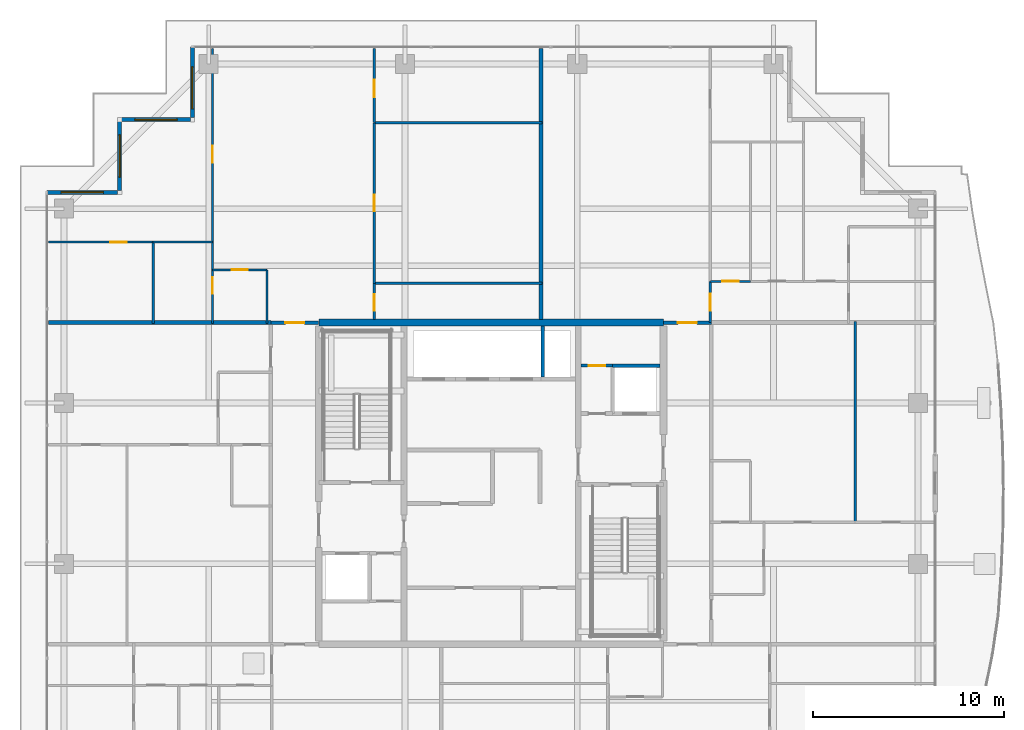
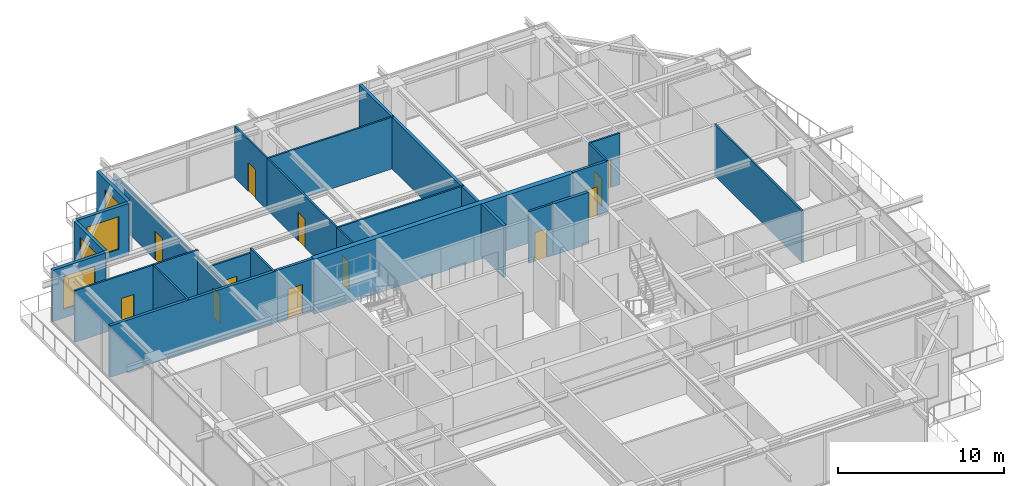
# One storey, part 34 of 42: 27 walls, 12 doors, 4 windows, 16 openings.
"""IFC4 building model written with IfcOpenShell, lengths in metres."""

from ifc_helpers import new_model, si_unit, direction, frame, frame_2d, origin, place, context, subcontext, project, spatial, rectangle, extrude, source, transform, mapped, material, layer, layer_set, type_object, element, fill, save


model = new_model("IFC4")

# Units and contexts
model_context = context("Model", 3, precision=1e-05, world=origin(), true_north=direction((0.0, 1.0)))
body_context = subcontext(model_context, "Body", "Model", "MODEL_VIEW")
ifc_project = project(units=[si_unit("LENGTHUNIT", "METRE"), si_unit("AREAUNIT", "SQUARE_METRE"), si_unit("VOLUMEUNIT", "CUBIC_METRE"), si_unit("PLANEANGLEUNIT", "RADIAN"), si_unit("MASSUNIT", "GRAM", prefix="KILO")], contexts=[model_context])

# Site, building, storey
site_placement = place(None, origin())
site = spatial("IfcSite", under=ifc_project, at=site_placement, CompositionType="ELEMENT")
building_placement = place(site_placement, origin())
building = spatial("IfcBuilding", under=site, at=building_placement, Name="Serunith Strait Residences", CompositionType="ELEMENT")
storey_placement = place(building_placement, frame((0.0, 0.0, 293.449951171875)))
storey = spatial("IfcBuildingStorey", under=building, at=storey_placement, Name="L73", CompositionType="ELEMENT", Elevation=293.449951171875)

# Wall, opening, window
ifc_material_1 = material(Name="Pale-Champagne Aluminium Insulated Panel", Category="aluminium")
ifc_layer_1 = layer(ifc_material_1, 0.219970703125, Name="Pale-Champagne Aluminium Insulated Panel")
ifc_layer_set_1 = layer_set([ifc_layer_1], Name="Pale-Champagne Aluminium Insulated Panel")
wall_type_1 = type_object("IfcWallType", Name="EW-ALUM-220", PredefinedType="ELEMENTEDWALL", material=ifc_layer_set_1)
wall_1_placement = place(storey_placement, frame((16.800048828125, 48.0, 0.0), z_axis=(0.0, 0.0, 1.0), x_axis=(0.0, -1.0, 0.0)))
wall_1 = element("IfcWall", 1, at=wall_1_placement, inside=storey, type_object=wall_type_1, Name="L73 Girih Serrated Corner Wall 12", PredefinedType="ELEMENTEDWALL", context=body_context, shape_type="SweptSolid", body=[
    extrude(rectangle(XDim=3.68994140625, YDim=0.219970703125, at=frame_2d((1.844970703125, 0.0))), origin(), (0.0, 0.0, 1.0), 3.775146484375),
])
opening_1_placement = place(wall_1_placement, frame((1.04296875, 0.0, 0.64990234375)))
opening_1 = element("IfcOpeningElement", 2, at=opening_1_placement, cuts=wall_1, Name="Opening W-06", PredefinedType="OPENING", context=body_context, shape_type="SweptSolid", body=[
    extrude(rectangle(XDim=2.199951171875, YDim=2.39990234375, at=frame_2d((1.10009765625, 1.199951171875))), frame((0.0, 0.1201171875, 0.0), z_axis=(0.0, -1.0, 0.0), x_axis=(1.0, 0.0, 0.0)), (0.0, 0.0, 1.0), 0.239990234375),
])
ifc_material_2 = material(Name="Crown Penthouse Low-E Operable Window Glass", Category="glass")
window_type = type_object("IfcWindowType", Name="WIN-C6", PartitioningType="TRIPLE_PANEL_VERTICAL", PredefinedType="WINDOW", material=ifc_material_2)
shared_shape_1 = source(origin(), body_context, "Body", "SweptSolid", [
    extrude(rectangle(XDim=2.199951171875, YDim=2.39990234375, at=frame_2d((1.10009765625, 1.199951171875))), frame((0.0, 0.030029296875, 0.0), z_axis=(0.0, -1.0, 0.0), x_axis=(1.0, 0.0, 0.0)), (0.0, 0.0, 1.0), 0.06005859375),
])
window_1_placement = place(opening_1_placement, origin())
window_1 = element("IfcWindow", 3, at=window_1_placement, inside=storey, type_object=window_type, Name="L73 Corner Operable Fritted Window 12", OverallHeight=2.39990234375, OverallWidth=2.199951171875, PartitioningType="SINGLE_PANEL", PredefinedType="WINDOW", context=body_context, shape_type="MappedRepresentation", body=[
    mapped(shared_shape_1, transform((0.0, 0.0, 0.0), scale=1.0)),
])
fill(opening_1, window_1)

wall_2_placement = place(storey_placement, frame((16.68994140625, 44.199951171875, 0.0), z_axis=(0.0, 0.0, 1.0), x_axis=(-1.0, 0.0, 0.0)))
wall_2 = element("IfcWall", 4, at=wall_2_placement, inside=storey, type_object=wall_type_1, Name="L73 Girih Serrated Corner Wall 13", PredefinedType="ELEMENTEDWALL", context=body_context, shape_type="SweptSolid", body=[
    extrude(rectangle(XDim=3.579833984375, YDim=0.219970703125, at=frame_2d((1.7900390625, 0.0))), origin(), (0.0, 0.0, 1.0), 3.775146484375),
])
opening_2_placement = place(wall_2_placement, frame((0.68994140625, 0.0, 0.64990234375)))
opening_2 = element("IfcOpeningElement", 5, at=opening_2_placement, cuts=wall_2, Name="Opening W-06", PredefinedType="OPENING", context=body_context, shape_type="SweptSolid", body=[
    extrude(rectangle(XDim=2.199951171875, YDim=2.39990234375, at=frame_2d((1.10009765625, 1.199951171875))), frame((0.0, 0.1201171875, 0.0), z_axis=(0.0, -1.0, 0.0), x_axis=(1.0, 0.0, 0.0)), (0.0, 0.0, 1.0), 0.239990234375),
])
window_2_placement = place(opening_2_placement, origin())
window_2 = element("IfcWindow", 6, at=window_2_placement, inside=storey, type_object=window_type, Name="L73 Corner Operable Fritted Window 13", OverallHeight=2.39990234375, OverallWidth=2.199951171875, PartitioningType="SINGLE_PANEL", PredefinedType="WINDOW", context=body_context, shape_type="MappedRepresentation", body=[
    mapped(shared_shape_1, transform((0.0, 0.0, 0.0), scale=1.0)),
])
fill(opening_2, window_2)

wall_3_placement = place(storey_placement, frame((13.0, 44.090087890625, 0.0), z_axis=(0.0, 0.0, 1.0), x_axis=(0.0, -1.0, 0.0)))
wall_3 = element("IfcWall", 7, at=wall_3_placement, inside=storey, type_object=wall_type_1, Name="L73 Girih Serrated Corner Wall 14", PredefinedType="ELEMENTEDWALL", context=body_context, shape_type="SweptSolid", body=[
    extrude(rectangle(XDim=3.580078125, YDim=0.219970703125, at=frame_2d((1.7900390625, 0.0))), origin(), (0.0, 0.0, 1.0), 3.775146484375),
])
opening_3_placement = place(wall_3_placement, frame((0.68994140625, 0.0, 0.64990234375)))
opening_3 = element("IfcOpeningElement", 8, at=opening_3_placement, cuts=wall_3, Name="Opening W-06", PredefinedType="OPENING", context=body_context, shape_type="SweptSolid", body=[
    extrude(rectangle(XDim=2.199951171875, YDim=2.39990234375, at=frame_2d((1.10009765625, 1.199951171875))), frame((0.0, 0.1201171875, 0.0), z_axis=(0.0, -1.0, 0.0), x_axis=(1.0, 0.0, 0.0)), (0.0, 0.0, 1.0), 0.239990234375),
])
window_3_placement = place(opening_3_placement, origin())
window_3 = element("IfcWindow", 9, at=window_3_placement, inside=storey, type_object=window_type, Name="L73 Corner Operable Fritted Window 14", OverallHeight=2.39990234375, OverallWidth=2.199951171875, PartitioningType="SINGLE_PANEL", PredefinedType="WINDOW", context=body_context, shape_type="MappedRepresentation", body=[
    mapped(shared_shape_1, transform((0.0, 0.0, 0.0), scale=1.0)),
])
fill(opening_3, window_3)

wall_4_placement = place(storey_placement, frame((12.889892578125, 40.39990234375, 0.0), z_axis=(0.0, 0.0, 1.0), x_axis=(-1.0, 0.0, 0.0)))
wall_4 = element("IfcWall", 10, at=wall_4_placement, inside=storey, type_object=wall_type_1, Name="L73 Girih Serrated Corner Wall 15", PredefinedType="ELEMENTEDWALL", context=body_context, shape_type="SweptSolid", body=[
    extrude(rectangle(XDim=3.68994140625, YDim=0.219970703125, at=frame_2d((1.844970703125, 0.0))), origin(), (0.0, 0.0, 1.0), 3.775146484375),
])
opening_4_placement = place(wall_4_placement, frame((0.7451171875, 0.0, 0.64990234375)))
opening_4 = element("IfcOpeningElement", 11, at=opening_4_placement, cuts=wall_4, Name="Opening W-06", PredefinedType="OPENING", context=body_context, shape_type="SweptSolid", body=[
    extrude(rectangle(XDim=2.199951171875, YDim=2.39990234375, at=frame_2d((1.10009765625, 1.199951171875))), frame((0.0, 0.1201171875, 0.0), z_axis=(0.0, -1.0, 0.0), x_axis=(1.0, 0.0, 0.0)), (0.0, 0.0, 1.0), 0.239990234375),
])
window_4_placement = place(opening_4_placement, origin())
window_4 = element("IfcWindow", 12, at=window_4_placement, inside=storey, type_object=window_type, Name="L73 Corner Operable Fritted Window 15", OverallHeight=2.39990234375, OverallWidth=2.199951171875, PartitioningType="SINGLE_PANEL", PredefinedType="WINDOW", context=body_context, shape_type="MappedRepresentation", body=[
    mapped(shared_shape_1, transform((0.0, 0.0, 0.0), scale=1.0)),
])
fill(opening_4, window_4)

# Wall, opening, door
ifc_material_3 = material(Name="Fire-rated masonry service closet wall", Category="masonry")
ifc_layer_2 = layer(ifc_material_3, 0.14990234375, Name="Fire-rated masonry service closet wall")
ifc_layer_set_2 = layer_set([ifc_layer_2], Name="Fire-rated masonry service closet wall")
wall_type_2 = type_object("IfcWallType", Name="IW-BOH-150", PredefinedType="PARTITIONING", material=ifc_layer_set_2)
wall_5_placement = place(storey_placement, frame((37.10009765625, 31.35009765625, 0.0), z_axis=(0.0, 0.0, 1.0), x_axis=(1.0, 0.0, 0.0)))
wall_5 = element("IfcWall", 13, at=wall_5_placement, inside=storey, type_object=wall_type_2, Name="L73 Partition Wall 012", PredefinedType="PARTITIONING", context=body_context, shape_type="SweptSolid", body=[
    extrude(rectangle(XDim=1.64794921875, YDim=0.14990234375, at=frame_2d((0.823974609375, 0.0))), origin(), (0.0, 0.0, 1.0), 3.7900390625),
])
opening_5_placement = place(wall_5_placement, frame((0.39892578125, 0.0, 0.0)))
opening_5 = element("IfcOpeningElement", 14, at=opening_5_placement, cuts=wall_5, Name="Opening FD-850", PredefinedType="OPENING", context=body_context, shape_type="SweptSolid", body=[
    extrude(rectangle(XDim=0.85009765625, YDim=2.10009765625, at=frame_2d((0.425048828125, 1.050048828125))), frame((0.0, 0.0849609375, 0.0), z_axis=(0.0, -1.0, 0.0), x_axis=(1.0, 0.0, 0.0)), (0.0, 0.0, 1.0), 0.169921875),
])
ifc_material_4 = material(Name="Powder-coated steel service closet door", Category="steel")
door_type_1 = type_object("IfcDoorType", Name="FD-BOH-850", OperationType="NOTDEFINED", PredefinedType="DOOR", material=ifc_material_4)
shared_shape_2 = source(origin(), body_context, "Body", "SweptSolid", [
    extrude(rectangle(XDim=0.85009765625, YDim=2.10009765625, at=frame_2d((0.425048828125, 1.050048828125))), frame((0.0, 0.02490234375, 0.0), z_axis=(0.0, -1.0, 0.0), x_axis=(1.0, 0.0, 0.0)), (0.0, 0.0, 1.0), 0.050048828125),
])
door_1_placement = place(opening_5_placement, origin())
door_1 = element("IfcDoor", 15, at=door_1_placement, inside=storey, type_object=door_type_1, Name="L73 Refuse Store Door", OperationType="SINGLE_SWING_LEFT", OverallHeight=2.10009765625, OverallWidth=0.85009765625, PredefinedType="DOOR", context=body_context, shape_type="MappedRepresentation", body=[
    mapped(shared_shape_2, transform((0.0, 0.0, 0.0), scale=1.0)),
])
fill(opening_5, door_1)

ifc_material_5 = material(Name="Fire-rated acoustic gypsum partition")
ifc_layer_3 = layer(ifc_material_5, 0.179931640625, Name="Fire-rated acoustic gypsum partition")
ifc_layer_set_3 = layer_set([ifc_layer_3], Name="Fire-rated acoustic gypsum partition")
wall_type_3 = type_object("IfcWallType", Name="IW-CORR-180", PredefinedType="PARTITIONING", material=ifc_layer_set_3)
wall_6_placement = place(storey_placement, frame((20.902099609375, 33.60009765625, 0.0), z_axis=(0.0, 0.0, 1.0), x_axis=(1.0, 0.0, 0.0)))
wall_6 = element("IfcWall", 16, at=wall_6_placement, inside=storey, type_object=wall_type_3, Name="L73 Partition Wall 027", PredefinedType="PARTITIONING", context=body_context, shape_type="SweptSolid", body=[
    extrude(rectangle(XDim=2.495849609375, YDim=0.179931640625, at=frame_2d((1.248046875, 0.0))), origin(), (0.0, 0.0, 1.0), 3.7900390625),
])
opening_6_placement = place(wall_6_placement, frame((0.748046875, 0.0, 0.0)))
opening_6 = element("IfcOpeningElement", 17, at=opening_6_placement, cuts=wall_6, Name="Opening D-APT1000", PredefinedType="OPENING", context=body_context, shape_type="SweptSolid", body=[
    extrude(rectangle(XDim=1.0, YDim=2.14990234375, at=frame_2d((0.5, 1.074951171875))), frame((0.0, 0.10009765625, 0.0), z_axis=(0.0, -1.0, 0.0), x_axis=(1.0, 0.0, 0.0)), (0.0, 0.0, 1.0), 0.199951171875),
])
ifc_material_6 = material(Name="Solid timber engineered fire door", Category="wood")
door_type_2 = type_object("IfcDoorType", Name="ID-APT-1000", OperationType="NOTDEFINED", PredefinedType="DOOR", material=ifc_material_6)
shared_shape_3 = source(origin(), body_context, "Body", "SweptSolid", [
    extrude(rectangle(XDim=1.0, YDim=2.14990234375, at=frame_2d((0.5, 1.074951171875))), frame((0.0, 0.02490234375, 0.0), z_axis=(0.0, -1.0, 0.0), x_axis=(1.0, 0.0, 0.0)), (0.0, 0.0, 1.0), 0.050048828125),
])
door_2_placement = place(opening_6_placement, origin())
door_2 = element("IfcDoor", 18, at=door_2_placement, inside=storey, type_object=door_type_2, Name="L73 Unit 03 Entrance Door", OperationType="SINGLE_SWING_RIGHT", OverallHeight=2.14990234375, OverallWidth=1.0, PredefinedType="DOOR", context=body_context, shape_type="MappedRepresentation", body=[
    mapped(shared_shape_3, transform((0.0, 0.0, 0.0), scale=1.0)),
])
fill(opening_6, door_2)

wall_7_placement = place(storey_placement, frame((41.402099609375, 33.60009765625, 0.0), z_axis=(0.0, 0.0, 1.0), x_axis=(1.0, 0.0, 0.0)))
wall_7 = element("IfcWall", 19, at=wall_7_placement, inside=storey, type_object=wall_type_3, Name="L73 Partition Wall 030", PredefinedType="PARTITIONING", context=body_context, shape_type="SweptSolid", body=[
    extrude(rectangle(XDim=2.495849609375, YDim=0.179931640625, at=frame_2d((1.248046875, 0.0))), origin(), (0.0, 0.0, 1.0), 3.7900390625),
])
opening_7_placement = place(wall_7_placement, frame((0.748046875, 0.0, 0.0)))
opening_7 = element("IfcOpeningElement", 20, at=opening_7_placement, cuts=wall_7, Name="Opening D-APT1000", PredefinedType="OPENING", context=body_context, shape_type="SweptSolid", body=[
    extrude(rectangle(XDim=1.0, YDim=2.14990234375, at=frame_2d((0.5, 1.074951171875))), frame((0.0, 0.10009765625, 0.0), z_axis=(0.0, -1.0, 0.0), x_axis=(1.0, 0.0, 0.0)), (0.0, 0.0, 1.0), 0.199951171875),
])
door_3_placement = place(opening_7_placement, origin())
door_3 = element("IfcDoor", 21, at=door_3_placement, inside=storey, type_object=door_type_2, Name="L73 Unit 04 Entrance Door", OperationType="SINGLE_SWING_LEFT", OverallHeight=2.14990234375, OverallWidth=1.0, PredefinedType="DOOR", context=body_context, shape_type="MappedRepresentation", body=[
    mapped(shared_shape_3, transform((0.0, 0.0, 0.0), scale=1.0)),
])
fill(opening_7, door_3)

ifc_material_7 = material(Name="Lightweight steel-stud gypsum partition", Category="steel")
ifc_layer_4 = layer(ifc_material_7, 0.1201171875, Name="Lightweight steel-stud gypsum partition")
ifc_layer_set_4 = layer_set([ifc_layer_4], Name="Lightweight steel-stud gypsum partition")
wall_type_4 = type_object("IfcWallType", Name="IW-PART-120", PredefinedType="PARTITIONING", material=ifc_layer_set_4)
wall_8_placement = place(storey_placement, frame((17.85009765625, 36.35009765625, 0.0), z_axis=(0.0, 0.0, 1.0), x_axis=(1.0, 0.0, 0.0)))
wall_8 = element("IfcWall", 22, at=wall_8_placement, inside=storey, type_object=wall_type_4, Name="L73 Partition Wall 057", PredefinedType="PARTITIONING", context=body_context, shape_type="SweptSolid", body=[
    extrude(rectangle(XDim=2.849853515625, YDim=0.1201171875, at=frame_2d((1.4248046875, 0.0))), origin(), (0.0, 0.0, 1.0), 3.47216796875),
])
opening_8_placement = place(wall_8_placement, frame((1.0, 0.0, 0.0)))
opening_8 = element("IfcOpeningElement", 23, at=opening_8_placement, cuts=wall_8, Name="Opening D-RM850", PredefinedType="OPENING", context=body_context, shape_type="SweptSolid", body=[
    extrude(rectangle(XDim=0.85009765625, YDim=2.10009765625, at=frame_2d((0.425048828125, 1.050048828125))), frame((0.0, 0.070068359375, 0.0), z_axis=(0.0, -1.0, 0.0), x_axis=(1.0, 0.0, 0.0)), (0.0, 0.0, 1.0), 0.14013671875),
])
ifc_material_8 = material(Name="Engineered timber flush study and kitchen door", Category="wood")
door_type_3 = type_object("IfcDoorType", Name="ID-ROOM-850", OperationType="NOTDEFINED", PredefinedType="DOOR", material=ifc_material_8)
door_4_placement = place(opening_8_placement, origin())
door_4 = element("IfcDoor", 24, at=door_4_placement, inside=storey, type_object=door_type_3, Name="L73 Kitchen 7303 Door", OperationType="SINGLE_SWING_LEFT", OverallHeight=2.10009765625, OverallWidth=0.85009765625, PredefinedType="DOOR", context=body_context, shape_type="MappedRepresentation", body=[
    mapped(shared_shape_2, transform((0.0, 0.0, 0.0), scale=1.0)),
])
fill(opening_8, door_4)

# Wall
wall_9_placement = place(storey_placement, frame((20.699951171875, 36.35009765625, 0.0), z_axis=(0.0, 0.0, 1.0), x_axis=(0.0, -1.0, 0.0)))
element("IfcWall", 25, at=wall_9_placement, inside=storey, type_object=wall_type_4, Name="L73 Partition Wall 058", PredefinedType="PARTITIONING", context=body_context, shape_type="SweptSolid", body=[
    extrude(rectangle(XDim=2.81005859375, YDim=0.1201171875, at=frame_2d((1.405029296875, 0.0))), origin(), (0.0, 0.0, 1.0), 3.7900390625),
])

# Wall, opening, door
wall_10_placement = place(storey_placement, frame((17.85009765625, 47.905029296875, 0.0), z_axis=(0.0, 0.0, 1.0), x_axis=(0.0, -1.0, 0.0)))
wall_10 = element("IfcWall", 26, at=wall_10_placement, inside=storey, type_object=wall_type_4, Name="L73 Partition Wall 059", PredefinedType="PARTITIONING", context=body_context, shape_type="SweptSolid", body=[
    extrude(rectangle(XDim=10.09814453125, YDim=0.1201171875, at=frame_2d((5.049072265625, 0.0))), origin(), (0.0, 0.0, 1.0), 3.2919921875),
])
opening_9_placement = place(wall_10_placement, frame((5.05908203125, 0.0, 0.0)))
opening_9 = element("IfcOpeningElement", 27, at=opening_9_placement, cuts=wall_10, Name="Opening D-RM900", PredefinedType="OPENING", context=body_context, shape_type="SweptSolid", body=[
    extrude(rectangle(XDim=0.89990234375, YDim=2.10009765625, at=frame_2d((0.449951171875, 1.050048828125))), frame((0.0, 0.070068359375, 0.0), z_axis=(0.0, -1.0, 0.0), x_axis=(1.0, 0.0, 0.0)), (0.0, 0.0, 1.0), 0.14013671875),
])
ifc_material_9 = material(Name="Engineered timber flush bedroom door", Category="wood")
door_type_4 = type_object("IfcDoorType", Name="ID-ROOM-900", OperationType="NOTDEFINED", PredefinedType="DOOR", material=ifc_material_9)
shared_shape_4 = source(origin(), body_context, "Body", "SweptSolid", [
    extrude(rectangle(XDim=0.89990234375, YDim=2.10009765625, at=frame_2d((0.449951171875, 1.050048828125))), frame((0.0, 0.02490234375, 0.0), z_axis=(0.0, -1.0, 0.0), x_axis=(1.0, 0.0, 0.0)), (0.0, 0.0, 1.0), 0.050048828125),
])
door_5_placement = place(opening_9_placement, origin())
door_5 = element("IfcDoor", 28, at=door_5_placement, inside=storey, type_object=door_type_4, Name="L73 Master Bedroom 1 7303 Door", OperationType="SINGLE_SWING_RIGHT", OverallHeight=2.10009765625, OverallWidth=0.89990234375, PredefinedType="DOOR", context=body_context, shape_type="MappedRepresentation", body=[
    mapped(shared_shape_4, transform((0.0, 0.0, 0.0), scale=1.0)),
])
fill(opening_9, door_5)

wall_11_placement = place(storey_placement, frame((9.294921875, 37.806884765625, 0.0), z_axis=(0.0, 0.0, 1.0), x_axis=(1.0, 0.0, 0.0)))
wall_11 = element("IfcWall", 29, at=wall_11_placement, inside=storey, type_object=wall_type_4, Name="L73 Partition Wall 060", PredefinedType="PARTITIONING", context=body_context, shape_type="SweptSolid", body=[
    extrude(rectangle(XDim=5.455078125, YDim=0.1201171875, at=frame_2d((2.7275390625, 0.0))), origin(), (0.0, 0.0, 1.0), 3.7900390625),
])
opening_10_placement = place(wall_11_placement, frame((3.22412109375, 0.0, 0.0)))
opening_10 = element("IfcOpeningElement", 30, at=opening_10_placement, cuts=wall_11, Name="Opening D-RM850", PredefinedType="OPENING", context=body_context, shape_type="SweptSolid", body=[
    extrude(rectangle(XDim=0.85009765625, YDim=2.10009765625, at=frame_2d((0.425048828125, 1.050048828125))), frame((0.0, 0.070068359375, 0.0), z_axis=(0.0, -1.0, 0.0), x_axis=(1.0, 0.0, 0.0)), (0.0, 0.0, 1.0), 0.14013671875),
])
door_6_placement = place(opening_10_placement, origin())
door_6 = element("IfcDoor", 31, at=door_6_placement, inside=storey, type_object=door_type_3, Name="L73 Wardrobe 7303 Door", OperationType="SINGLE_SWING_LEFT", OverallHeight=2.10009765625, OverallWidth=0.85009765625, PredefinedType="DOOR", context=body_context, shape_type="MappedRepresentation", body=[
    mapped(shared_shape_2, transform((0.0, 0.0, 0.0), scale=1.0)),
])
fill(opening_10, door_6)

# Walls
wall_12_placement = place(storey_placement, frame((14.751953125, 37.806884765625, 0.0), z_axis=(0.0, 0.0, 1.0), x_axis=(1.0, 0.0, 0.0)))
element("IfcWall", 32, at=wall_12_placement, inside=storey, type_object=wall_type_4, Name="L73 Partition Wall 061", PredefinedType="PARTITIONING", context=body_context, shape_type="SweptSolid", body=[
    extrude(rectangle(XDim=3.09814453125, YDim=0.1201171875, at=frame_2d((1.549072265625, 0.0))), origin(), (0.0, 0.0, 1.0), 3.7900390625),
])
wall_13_placement = place(storey_placement, frame((14.75, 37.806884765625, 0.0), z_axis=(0.0, 0.0, 1.0), x_axis=(0.0, -1.0, 0.0)))
element("IfcWall", 33, at=wall_13_placement, inside=storey, type_object=wall_type_4, Name="L73 Partition Wall 062", PredefinedType="PARTITIONING", context=body_context, shape_type="SweptSolid", body=[
    extrude(rectangle(XDim=4.266845703125, YDim=0.1201171875, at=frame_2d((2.13330078125, 0.0))), origin(), (0.0, 0.0, 1.0), 3.7900390625),
])

# Wall, opening, door
wall_14_placement = place(storey_placement, frame((17.85009765625, 37.804931640625, 0.0), z_axis=(0.0, 0.0, 1.0), x_axis=(0.0, -1.0, 0.0)))
wall_14 = element("IfcWall", 34, at=wall_14_placement, inside=storey, type_object=wall_type_4, Name="L73 Partition Wall 063", PredefinedType="PARTITIONING", context=body_context, shape_type="SweptSolid", body=[
    extrude(rectangle(XDim=4.264892578125, YDim=0.1201171875, at=frame_2d((2.13232421875, 0.0))), origin(), (0.0, 0.0, 1.0), 3.3720703125),
])
opening_11_placement = place(wall_14_placement, frame((1.847900390625, 0.0, 0.0)))
opening_11 = element("IfcOpeningElement", 35, at=opening_11_placement, cuts=wall_14, Name="Opening D-BTH850", PredefinedType="OPENING", context=body_context, shape_type="SweptSolid", body=[
    extrude(rectangle(XDim=0.85009765625, YDim=2.10009765625, at=frame_2d((0.425048828125, 1.050048828125))), frame((0.0, 0.070068359375, 0.0), z_axis=(0.0, -1.0, 0.0), x_axis=(1.0, 0.0, 0.0)), (0.0, 0.0, 1.0), 0.14013671875),
])
ifc_material_10 = material(Name="Moisture-resistant timber bathroom door", Category="wood")
door_type_5 = type_object("IfcDoorType", Name="ID-BATH-850", OperationType="NOTDEFINED", PredefinedType="DOOR", material=ifc_material_10)
door_7_placement = place(opening_11_placement, origin())
door_7 = element("IfcDoor", 36, at=door_7_placement, inside=storey, type_object=door_type_5, Name="L73 Bathroom 7303 Door", OperationType="SINGLE_SWING_RIGHT", OverallHeight=2.10009765625, OverallWidth=0.85009765625, PredefinedType="DOOR", context=body_context, shape_type="MappedRepresentation", body=[
    mapped(shared_shape_2, transform((0.0, 0.0, 0.0), scale=1.0)),
])
fill(opening_11, door_7)

wall_15_placement = place(storey_placement, frame((26.300048828125, 47.905029296875, 0.0), z_axis=(0.0, 0.0, 1.0), x_axis=(0.0, -1.0, 0.0)))
wall_15 = element("IfcWall", 37, at=wall_15_placement, inside=storey, type_object=wall_type_4, Name="L73 Partition Wall 064", PredefinedType="PARTITIONING", context=body_context, shape_type="SweptSolid", body=[
    extrude(rectangle(XDim=3.866943359375, YDim=0.1201171875, at=frame_2d((1.93359375, 0.0))), origin(), (0.0, 0.0, 1.0), 3.7900390625),
])
opening_12_placement = place(wall_15_placement, frame((1.632080078125, 0.0, 0.0)))
opening_12 = element("IfcOpeningElement", 38, at=opening_12_placement, cuts=wall_15, Name="Opening D-RM900", PredefinedType="OPENING", context=body_context, shape_type="SweptSolid", body=[
    extrude(rectangle(XDim=0.89990234375, YDim=2.10009765625, at=frame_2d((0.449951171875, 1.050048828125))), frame((0.0, 0.070068359375, 0.0), z_axis=(0.0, -1.0, 0.0), x_axis=(1.0, 0.0, 0.0)), (0.0, 0.0, 1.0), 0.14013671875),
])
door_8_placement = place(opening_12_placement, origin())
door_8 = element("IfcDoor", 39, at=door_8_placement, inside=storey, type_object=door_type_4, Name="L73 Bedroom 2 7303 Door", OperationType="SINGLE_SWING_LEFT", OverallHeight=2.10009765625, OverallWidth=0.89990234375, PredefinedType="DOOR", context=body_context, shape_type="MappedRepresentation", body=[
    mapped(shared_shape_4, transform((0.0, 0.0, 0.0), scale=1.0)),
])
fill(opening_12, door_8)

# Walls
for number, where, z_axis, x_axis, name in (
    (40, (26.300048828125, 44.0380859375, 0.0), (0.0, 0.0, 1.0), (1.0, 0.0, 0.0), "L73 Partition Wall 065"),
    (41, (26.300048828125, 35.64990234375, 0.0), (0.0, 0.0, 1.0), (1.0, 0.0, 0.0), "L73 Partition Wall 066"),
):
    element("IfcWall", number, at=place(storey_placement, frame(where, z_axis=z_axis, x_axis=x_axis)), inside=storey, type_object=wall_type_4, Name=name, PredefinedType="PARTITIONING", context=body_context, shape_type="SweptSolid", body=[
        extrude(rectangle(XDim=8.760009765625, YDim=0.1201171875, at=frame_2d((4.3798828125, 0.0))), origin(), (0.0, 0.0, 1.0), 3.7900390625),
    ])

# Wall, opening, door
wall_16_placement = place(storey_placement, frame((26.300048828125, 44.035888671875, 0.0), z_axis=(0.0, 0.0, 1.0), x_axis=(0.0, -1.0, 0.0)))
wall_16 = element("IfcWall", 42, at=wall_16_placement, inside=storey, type_object=wall_type_4, Name="L73 Partition Wall 067", PredefinedType="PARTITIONING", context=body_context, shape_type="SweptSolid", body=[
    extrude(rectangle(XDim=8.385986328125, YDim=0.1201171875, at=frame_2d((4.19287109375, 0.0))), origin(), (0.0, 0.0, 1.0), 3.7900390625),
])
opening_13_placement = place(wall_16_placement, frame((3.76806640625, 0.0, 0.0)))
opening_13 = element("IfcOpeningElement", 43, at=opening_13_placement, cuts=wall_16, Name="Opening D-RM850", PredefinedType="OPENING", context=body_context, shape_type="SweptSolid", body=[
    extrude(rectangle(XDim=0.85009765625, YDim=2.10009765625, at=frame_2d((0.425048828125, 1.050048828125))), frame((0.0, 0.070068359375, 0.0), z_axis=(0.0, -1.0, 0.0), x_axis=(1.0, 0.0, 0.0)), (0.0, 0.0, 1.0), 0.14013671875),
])
door_9_placement = place(opening_13_placement, origin())
door_9 = element("IfcDoor", 44, at=door_9_placement, inside=storey, type_object=door_type_3, Name="L73 Walk-in Wardrobe 7303 Door", OperationType="SINGLE_SWING_RIGHT", OverallHeight=2.10009765625, OverallWidth=0.85009765625, PredefinedType="DOOR", context=body_context, shape_type="MappedRepresentation", body=[
    mapped(shared_shape_2, transform((0.0, 0.0, 0.0), scale=1.0)),
])
fill(opening_13, door_9)

wall_17_placement = place(storey_placement, frame((26.300048828125, 35.64794921875, 0.0), z_axis=(0.0, 0.0, 1.0), x_axis=(0.0, -1.0, 0.0)))
wall_17 = element("IfcWall", 45, at=wall_17_placement, inside=storey, type_object=wall_type_4, Name="L73 Partition Wall 068", PredefinedType="PARTITIONING", context=body_context, shape_type="SweptSolid", body=[
    extrude(rectangle(XDim=1.873046875, YDim=0.1201171875, at=frame_2d((0.9365234375, 0.0))), origin(), (0.0, 0.0, 1.0), 3.7900390625),
])
opening_14_placement = place(wall_17_placement, frame((0.574951171875, 0.0, 0.0)))
opening_14 = element("IfcOpeningElement", 46, at=opening_14_placement, cuts=wall_17, Name="Opening D-BTH850", PredefinedType="OPENING", context=body_context, shape_type="SweptSolid", body=[
    extrude(rectangle(XDim=0.85009765625, YDim=2.10009765625, at=frame_2d((0.425048828125, 1.050048828125))), frame((0.0, 0.070068359375, 0.0), z_axis=(0.0, -1.0, 0.0), x_axis=(1.0, 0.0, 0.0)), (0.0, 0.0, 1.0), 0.14013671875),
])
door_10_placement = place(opening_14_placement, origin())
door_10 = element("IfcDoor", 47, at=door_10_placement, inside=storey, type_object=door_type_5, Name="L73 Bathroom 7303 Door", OperationType="SINGLE_SWING_LEFT", OverallHeight=2.10009765625, OverallWidth=0.85009765625, PredefinedType="DOOR", context=body_context, shape_type="MappedRepresentation", body=[
    mapped(shared_shape_2, transform((0.0, 0.0, 0.0), scale=1.0)),
])
fill(opening_14, door_10)

wall_18_placement = place(storey_placement, frame((43.85009765625, 35.75, 0.0), z_axis=(0.0, 0.0, 1.0), x_axis=(0.0, -1.0, 0.0)))
wall_18 = element("IfcWall", 48, at=wall_18_placement, inside=storey, type_object=wall_type_4, Name="L73 Partition Wall 069", PredefinedType="PARTITIONING", context=body_context, shape_type="SweptSolid", body=[
    extrude(rectangle(XDim=2.14794921875, YDim=0.1201171875, at=frame_2d((1.073974609375, 0.0))), origin(), (0.0, 0.0, 1.0), 3.7900390625),
])
opening_15_placement = place(wall_18_placement, frame((0.64208984375, 0.0, 0.0)))
opening_15 = element("IfcOpeningElement", 49, at=opening_15_placement, cuts=wall_18, Name="Opening D-RM900", PredefinedType="OPENING", context=body_context, shape_type="SweptSolid", body=[
    extrude(rectangle(XDim=0.89990234375, YDim=2.10009765625, at=frame_2d((0.449951171875, 1.050048828125))), frame((0.0, 0.070068359375, 0.0), z_axis=(0.0, -1.0, 0.0), x_axis=(1.0, 0.0, 0.0)), (0.0, 0.0, 1.0), 0.14013671875),
])
door_11_placement = place(opening_15_placement, origin())
door_11 = element("IfcDoor", 50, at=door_11_placement, inside=storey, type_object=door_type_4, Name="L73 Hall E 7304 Door", OperationType="SINGLE_SWING_RIGHT", OverallHeight=2.10009765625, OverallWidth=0.89990234375, PredefinedType="DOOR", context=body_context, shape_type="MappedRepresentation", body=[
    mapped(shared_shape_4, transform((0.0, 0.0, 0.0), scale=1.0)),
])
fill(opening_15, door_11)

wall_19_placement = place(storey_placement, frame((43.85009765625, 35.75, 0.0), z_axis=(0.0, 0.0, 1.0), x_axis=(1.0, 0.0, 0.0)))
wall_19 = element("IfcWall", 51, at=wall_19_placement, inside=storey, type_object=wall_type_4, Name="L73 Partition Wall 075", PredefinedType="PARTITIONING", context=body_context, shape_type="SweptSolid", body=[
    extrude(rectangle(XDim=2.099853515625, YDim=0.1201171875, at=frame_2d((1.0498046875, 0.0))), origin(), (0.0, 0.0, 1.0), 3.7900390625),
])
opening_16_placement = place(wall_19_placement, frame((0.625, 0.0, 0.0)))
opening_16 = element("IfcOpeningElement", 52, at=opening_16_placement, cuts=wall_19, Name="Opening D-BTH850", PredefinedType="OPENING", context=body_context, shape_type="SweptSolid", body=[
    extrude(rectangle(XDim=0.85009765625, YDim=2.10009765625, at=frame_2d((0.425048828125, 1.050048828125))), frame((0.0, 0.070068359375, 0.0), z_axis=(0.0, -1.0, 0.0), x_axis=(1.0, 0.0, 0.0)), (0.0, 0.0, 1.0), 0.14013671875),
])
door_12_placement = place(opening_16_placement, origin())
door_12 = element("IfcDoor", 53, at=door_12_placement, inside=storey, type_object=door_type_5, Name="L73 Bathroom 7304 Door", OperationType="SINGLE_SWING_RIGHT", OverallHeight=2.10009765625, OverallWidth=0.85009765625, PredefinedType="DOOR", context=body_context, shape_type="MappedRepresentation", body=[
    mapped(shared_shape_2, transform((0.0, 0.0, 0.0), scale=1.0)),
])
fill(opening_16, door_12)

# Walls
wall_20_placement = place(storey_placement, frame((51.410888671875, 23.179931640625, 0.0), z_axis=(0.0, 0.0, 1.0), x_axis=(0.0, 1.0, 0.0)))
element("IfcWall", 54, at=wall_20_placement, inside=storey, type_object=wall_type_4, Name="L73 Partition Wall 093", PredefinedType="PARTITIONING", context=body_context, shape_type="SweptSolid", body=[
    extrude(rectangle(XDim=10.47998046875, YDim=0.1201171875, at=frame_2d((5.239990234375, 0.0))), origin(), (0.0, 0.0, 1.0), 3.7900390625),
])
ifc_material_11 = material(Name="Twin-stud acoustic gypsum board partition")
ifc_layer_5 = layer(ifc_material_11, 0.199951171875, Name="Twin-stud acoustic gypsum board partition")
ifc_layer_set_5 = layer_set([ifc_layer_5], Name="Twin-stud acoustic gypsum board partition")
wall_type_5 = type_object("IfcWallType", Name="IW-PARTY-200", PredefinedType="PARTITIONING", material=ifc_layer_set_5)
wall_21_placement = place(storey_placement, frame((35.0, 33.77490234375, 0.0), z_axis=(0.0, 0.0, 1.0), x_axis=(0.0, 1.0, 0.0)))
element("IfcWall", 55, at=wall_21_placement, inside=storey, type_object=wall_type_5, Name="L73 Partition Wall 021", PredefinedType="PARTITIONING", context=body_context, shape_type="SweptSolid", body=[
    extrude(rectangle(XDim=14.14306640625, YDim=0.199951171875, at=frame_2d((7.071533203125, 0.0))), origin(), (0.0, 0.0, 1.0), 3.7900390625),
])
wall_22_placement = place(storey_placement, frame((9.281982421875, 33.60009765625, 0.0), z_axis=(0.0, 0.0, 1.0), x_axis=(1.0, 0.0, 0.0)))
element("IfcWall", 56, at=wall_22_placement, inside=storey, type_object=wall_type_5, Name="L73 Partition Wall 024", PredefinedType="PARTITIONING", context=body_context, shape_type="SweptSolid", body=[
    extrude(rectangle(XDim=11.617919921875, YDim=0.199951171875, at=frame_2d((5.80908203125, 0.0))), origin(), (0.0, 0.0, 1.0), 3.7900390625),
])
ifc_material_12 = material(Name="Autoclaved aerated concrete blockwork", Category="masonry")
ifc_layer_6 = layer(ifc_material_12, 0.199951171875, Name="Autoclaved aerated concrete blockwork")
ifc_layer_set_6 = layer_set([ifc_layer_6], Name="Autoclaved aerated concrete blockwork")
wall_type_6 = type_object("IfcWallType", Name="IW-SHAFT-200", PredefinedType="STANDARD", material=ifc_layer_set_6)
wall_23_placement = place(storey_placement, frame((35.10009765625, 30.75, 0.0), z_axis=(0.0, 0.0, 1.0), x_axis=(0.0, 1.0, 0.0)))
element("IfcWall", 57, at=wall_23_placement, inside=storey, type_object=wall_type_6, Name="L73 SL-1 West Shaft Wall", PredefinedType="STANDARD", context=body_context, shape_type="SweptSolid", body=[
    extrude(rectangle(XDim=2.675048828125, YDim=0.199951171875, at=frame_2d((1.33740234375, 0.0))), origin(), (0.0, 0.0, 1.0), 3.7900390625),
])
wall_24_placement = place(storey_placement, frame((38.75, 31.35009765625, 0.0), z_axis=(0.0, 0.0, 1.0), x_axis=(1.0, 0.0, 0.0)))
element("IfcWall", 58, at=wall_24_placement, inside=storey, type_object=wall_type_6, Name="L73 Partition Wall 005", PredefinedType="STANDARD", context=body_context, shape_type="SweptSolid", body=[
    extrude(rectangle(XDim=2.47509765625, YDim=0.199951171875, at=frame_2d((1.237548828125, 0.0))), origin(), (0.0, 0.0, 1.0), 3.7900390625),
])
ifc_material_13 = material(Name="Concrete C60/75", Category="concrete")
ifc_layer_7 = layer(ifc_material_13, 0.35009765625, Name="Concrete C60/75")
ifc_layer_set_7 = layer_set([ifc_layer_7], Name="Concrete C60/75")
wall_type_7 = type_object("IfcWallType", Name="SW-350-C60", PredefinedType="SHEAR", material=ifc_layer_set_7)
wall_25_placement = place(storey_placement, frame((41.39990234375, 33.60009765625, -0.260009765625), z_axis=(0.0, 0.0, 1.0), x_axis=(-1.0, 0.0, 0.0)))
element("IfcWall", 59, at=wall_25_placement, inside=storey, type_object=wall_type_7, Name="L73 Core North Shear Wall", PredefinedType="SHEAR", context=body_context, shape_type="SweptSolid", body=[
    extrude(rectangle(XDim=18.0, YDim=0.35009765625, at=frame_2d((9.0, 0.0))), origin(), (0.0, 0.0, 1.0), 4.048095703125),
])

save(model, "model.ifc")
